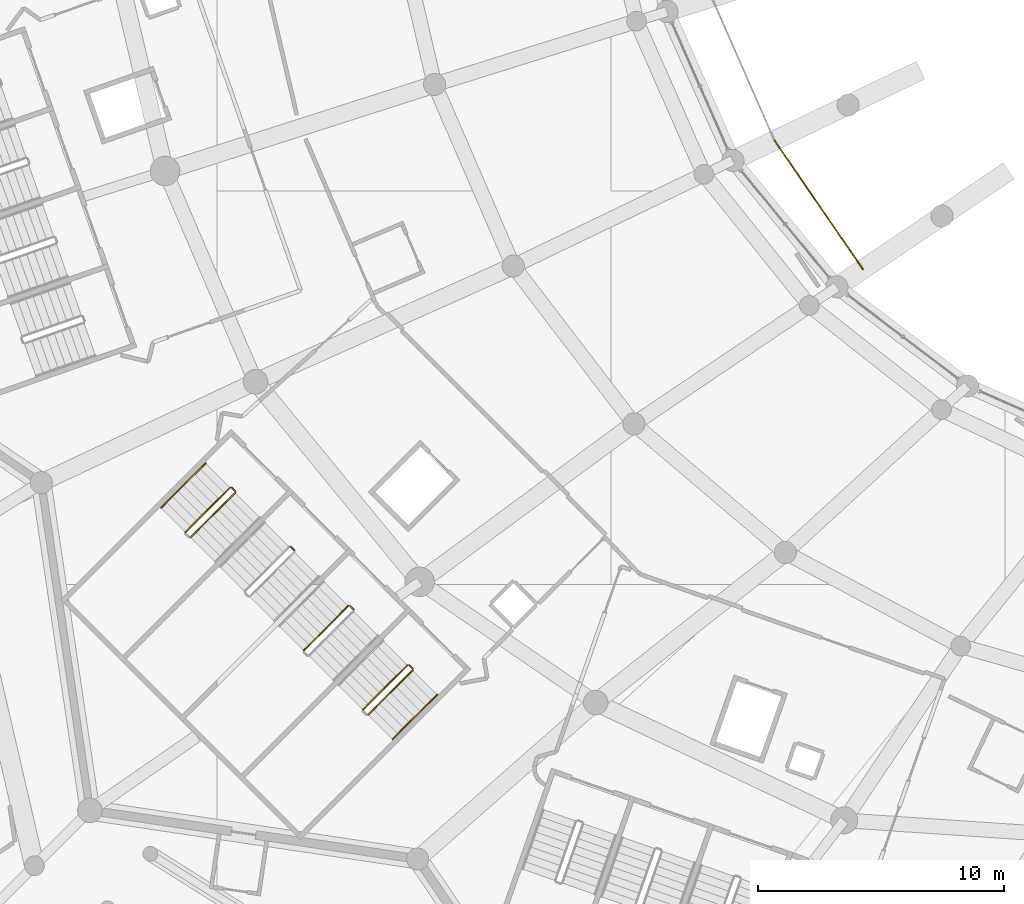
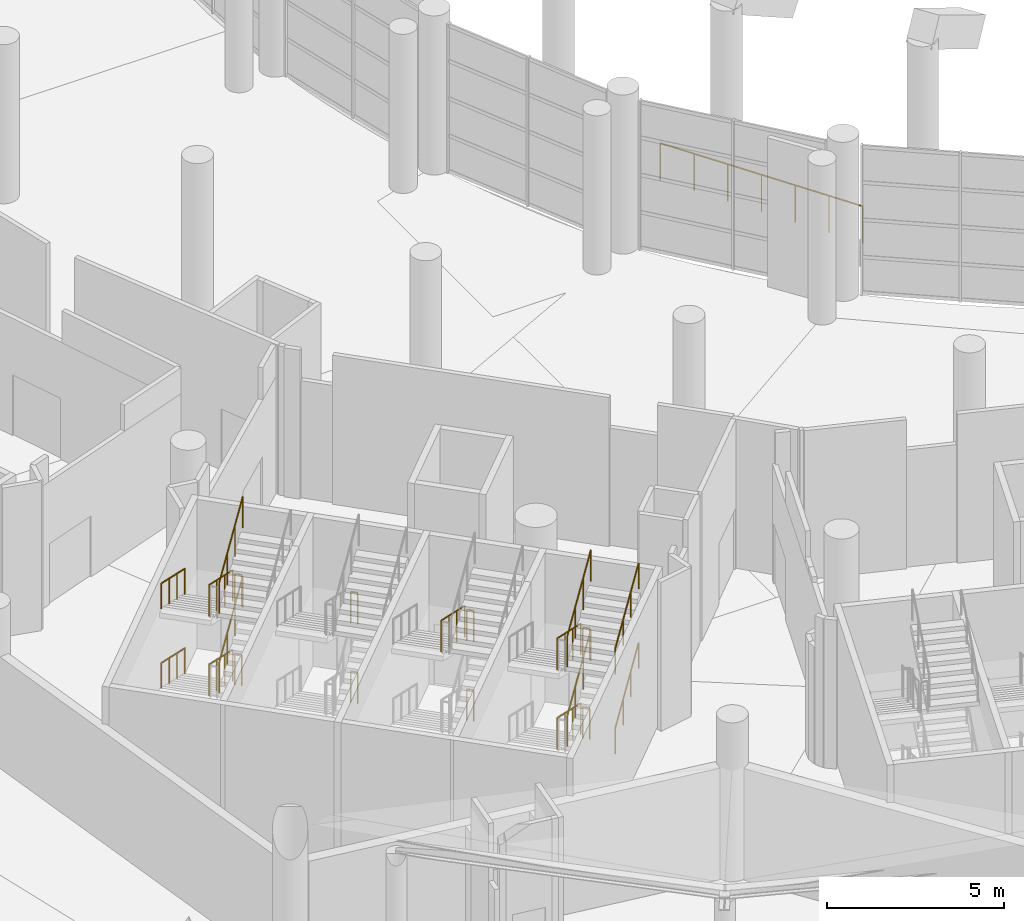
# One storey, part 226 of 271: 22 railings.
"""IFC4 building model written with IfcOpenShell, lengths in metres."""

from ifc_helpers import new_model, si_unit, direction, frame, origin, origin_2d, place, context, subcontext, project, spatial, circle, extrude, material, type_object, element, save


model = new_model("IFC4")

# Units and contexts
model_context = context("Model", 3, precision=1e-05, world=origin(), true_north=direction((0.0, 1.0)))
body_context = subcontext(model_context, "Body", "Model", "MODEL_VIEW")
ifc_project = project(units=[si_unit("LENGTHUNIT", "METRE"), si_unit("AREAUNIT", "SQUARE_METRE"), si_unit("VOLUMEUNIT", "CUBIC_METRE"), si_unit("PLANEANGLEUNIT", "RADIAN"), si_unit("MASSUNIT", "GRAM", prefix="KILO")], contexts=[model_context])

# Site, building, storey
site_placement = place(None, origin())
site = spatial("IfcSite", under=ifc_project, at=site_placement, CompositionType="ELEMENT")
building_placement = place(site_placement, origin())
building = spatial("IfcBuilding", under=site, at=building_placement, Name="Meseta Stadium", CompositionType="ELEMENT")
storey_placement = place(building_placement, frame((0.0, 0.0, 6.5)))
storey = spatial("IfcBuildingStorey", under=building, at=storey_placement, Name="L01", CompositionType="ELEMENT", Elevation=6.5)

# Railings
ifc_material_1 = material(Name="Steel S355", Category="steel")
railing_type_1 = type_object("IfcRailingType", Name="Stair guard 1100", PredefinedType="GUARDRAIL", material=ifc_material_1)
railing_1_placement = place(storey_placement, frame((-79.4814453125, -76.056884765625, 0.15283203125)))
element("IfcRailing", 1, at=railing_1_placement, inside=storey, type_object=railing_type_1, Name="ST81 L01 guard 1", PredefinedType="GUARDRAIL", context=body_context, shape_type="SweptSolid", body=[
    extrude(circle(Radius=0.02392578125, at=origin_2d()), frame((0.0, 0.0, 1.076171875), z_axis=(-0.638123721051, -0.638123721051, 0.43080881289), x_axis=(0.707106781187, -0.707106781187, 0.0)), (0.0, 0.0, 1.0), 2.8369140625),
    extrude(circle(Radius=0.02099609375, at=origin_2d()), origin(), (0.0, 0.0, 1.0), 1.052001953125),
    extrude(circle(Radius=0.02099609375, at=origin_2d()), frame((-0.603515625, -0.603515625, 0.407470703125)), (0.0, 0.0, 1.0), 1.052001953125),
    extrude(circle(Radius=0.02099609375, at=origin_2d()), frame((-1.206787109375, -1.206787109375, 0.814697265625)), (0.0, 0.0, 1.0), 1.052001953125),
    extrude(circle(Radius=0.02099609375, at=origin_2d()), frame((-1.810302734375, -1.810302734375, 1.22216796875)), (0.0, 0.0, 1.0), 1.052001953125),
])
railing_2_placement = place(storey_placement, frame((-81.07958984375, -78.0791015625, 1.52783203125)))
element("IfcRailing", 2, at=railing_2_placement, inside=storey, type_object=railing_type_1, Name="ST81 L01 guard 3", PredefinedType="GUARDRAIL", context=body_context, shape_type="SweptSolid", body=[
    extrude(circle(Radius=0.02392578125, at=origin_2d()), frame((0.0, 0.0, 1.076171875), z_axis=(0.638158764755, 0.638072701536, 0.430832471526), x_axis=(-0.707059095529, 0.707154463629, 0.0)), (0.0, 0.0, 1.0), 2.836669921875),
    extrude(circle(Radius=0.02099609375, at=origin_2d()), origin(), (0.0, 0.0, 1.0), 1.052001953125),
    extrude(circle(Radius=0.02099609375, at=origin_2d()), frame((0.603515625, 0.603271484375, 0.407470703125)), (0.0, 0.0, 1.0), 1.052001953125),
    extrude(circle(Radius=0.02099609375, at=origin_2d()), frame((1.206787109375, 1.206787109375, 0.814697265625)), (0.0, 0.0, 1.0), 1.052001953125),
    extrude(circle(Radius=0.02099609375, at=origin_2d()), frame((1.810302734375, 1.81005859375, 1.22216796875)), (0.0, 0.0, 1.0), 1.052001953125),
])
railing_3_placement = place(storey_placement, frame((-79.410888671875, -76.056884765625, 2.75)))
element("IfcRailing", 3, at=railing_3_placement, inside=storey, type_object=railing_type_1, Name="ST81 L01 guard 4", PredefinedType="GUARDRAIL", context=body_context, shape_type="SweptSolid", body=[
    extrude(circle(Radius=0.02392578125, at=origin_2d()), frame((0.0, 0.0, 1.076171875), z_axis=(0.707716618519, -0.706496417452, 0.0), x_axis=(0.706496417452, 0.707716618519, 0.0)), (0.0, 0.0, 1.0), 0.2001953125),
    extrude(circle(Radius=0.02099609375, at=origin_2d()), origin(), (0.0, 0.0, 1.0), 1.052001953125),
    extrude(circle(Radius=0.02099609375, at=origin_2d()), frame((0.1416015625, -0.141357421875, 0.0)), (0.0, 0.0, 1.0), 1.052001953125),
])
railing_4_placement = place(storey_placement, frame((-79.4814453125, -76.056884765625, 2.90283203125)))
element("IfcRailing", 4, at=railing_4_placement, inside=storey, type_object=railing_type_1, Name="ST81 L01 guard 5", PredefinedType="GUARDRAIL", context=body_context, shape_type="SweptSolid", body=[
    extrude(circle(Radius=0.02392578125, at=origin_2d()), frame((0.0, 0.0, 1.076171875), z_axis=(-0.638123721051, -0.638123721051, 0.43080881289), x_axis=(0.707106781187, -0.707106781187, 0.0)), (0.0, 0.0, 1.0), 2.8369140625),
    extrude(circle(Radius=0.02099609375, at=origin_2d()), origin(), (0.0, 0.0, 1.0), 1.052001953125),
    extrude(circle(Radius=0.02099609375, at=origin_2d()), frame((-0.603515625, -0.603515625, 0.407470703125)), (0.0, 0.0, 1.0), 1.052001953125),
    extrude(circle(Radius=0.02099609375, at=origin_2d()), frame((-1.206787109375, -1.206787109375, 0.814697265625)), (0.0, 0.0, 1.0), 1.052001953125),
    extrude(circle(Radius=0.02099609375, at=origin_2d()), frame((-1.810302734375, -1.810302734375, 1.22216796875)), (0.0, 0.0, 1.0), 1.052001953125),
])
railing_5_placement = place(storey_placement, frame((-81.07958984375, -78.0791015625, 4.27783203125)))
element("IfcRailing", 5, at=railing_5_placement, inside=storey, type_object=railing_type_1, Name="ST81 L01 guard 7", PredefinedType="GUARDRAIL", context=body_context, shape_type="SweptSolid", body=[
    extrude(circle(Radius=0.02392578125, at=origin_2d()), frame((0.0, 0.0, 1.076171875), z_axis=(0.638158764755, 0.638072701536, 0.430832471526), x_axis=(-0.707059095529, 0.707154463629, 0.0)), (0.0, 0.0, 1.0), 2.836669921875),
    extrude(circle(Radius=0.02099609375, at=origin_2d()), origin(), (0.0, 0.0, 1.0), 1.052001953125),
    extrude(circle(Radius=0.02099609375, at=origin_2d()), frame((0.603515625, 0.603271484375, 0.407470703125)), (0.0, 0.0, 1.0), 1.052001953125),
    extrude(circle(Radius=0.02099609375, at=origin_2d()), frame((1.206787109375, 1.206787109375, 0.814697265625)), (0.0, 0.0, 1.0), 1.052001953125),
    extrude(circle(Radius=0.02099609375, at=origin_2d()), frame((1.810302734375, 1.81005859375, 1.22216796875)), (0.0, 0.0, 1.0), 1.052001953125),
])
railing_6_placement = place(storey_placement, frame((-79.410888671875, -76.056884765625, 0.0)))
element("IfcRailing", 6, at=railing_6_placement, inside=storey, type_object=railing_type_1, Name="ST81 L01 guard 8", PredefinedType="GUARDRAIL", context=body_context, shape_type="SweptSolid", body=[
    extrude(circle(Radius=0.02392578125, at=origin_2d()), frame((0.0, 0.0, 1.076171875), z_axis=(0.707716618519, -0.706496417452, 0.0), x_axis=(0.706496417452, 0.707716618519, 0.0)), (0.0, 0.0, 1.0), 0.2001953125),
    extrude(circle(Radius=0.02099609375, at=origin_2d()), origin(), (0.0, 0.0, 1.0), 1.052001953125),
    extrude(circle(Radius=0.02099609375, at=origin_2d()), frame((0.1416015625, -0.141357421875, 0.0)), (0.0, 0.0, 1.0), 1.052001953125),
])
for number, where, name in (
    (7, (-77.006591796875, -78.4609375, 2.75), "ST82 L01 guard 4"),
    (8, (-77.006591796875, -78.4609375, 0.0), "ST82 L01 guard 8"),
):
    element("IfcRailing", number, at=place(storey_placement, frame(where)), inside=storey, type_object=railing_type_1, Name=name, PredefinedType="GUARDRAIL", context=body_context, shape_type="SweptSolid", body=[
        extrude(circle(Radius=0.02392578125, at=origin_2d()), frame((0.0, 0.0, 1.076171875), z_axis=(0.706496417452, -0.707716618519, 0.0), x_axis=(0.707716618519, 0.706496417452, 0.0)), (0.0, 0.0, 1.0), 0.2001953125),
        extrude(circle(Radius=0.02099609375, at=origin_2d()), origin(), (0.0, 0.0, 1.0), 1.052001953125),
        extrude(circle(Radius=0.02099609375, at=origin_2d()), frame((0.141357421875, -0.1416015625, 0.0)), (0.0, 0.0, 1.0), 1.052001953125),
    ])
railing_7_placement = place(storey_placement, frame((-74.6025390625, -80.865234375, 2.75)))
element("IfcRailing", 9, at=railing_7_placement, inside=storey, type_object=railing_type_1, Name="ST83 L01 guard 4", PredefinedType="GUARDRAIL", context=body_context, shape_type="SweptSolid", body=[
    extrude(circle(Radius=0.02392578125, at=origin_2d()), frame((0.0, 0.0, 1.076171875), z_axis=(0.707716618519, -0.706496417452, 0.0), x_axis=(0.706496417452, 0.707716618519, 0.0)), (0.0, 0.0, 1.0), 0.2001953125),
    extrude(circle(Radius=0.02099609375, at=origin_2d()), origin(), (0.0, 0.0, 1.0), 1.052001953125),
    extrude(circle(Radius=0.02099609375, at=origin_2d()), frame((0.1416015625, -0.141357421875, 0.0)), (0.0, 0.0, 1.0), 1.052001953125),
])
railing_8_placement = place(storey_placement, frame((-74.673095703125, -80.865234375, 2.90283203125)))
element("IfcRailing", 10, at=railing_8_placement, inside=storey, type_object=railing_type_1, Name="ST83 L01 guard 5", PredefinedType="GUARDRAIL", context=body_context, shape_type="SweptSolid", body=[
    extrude(circle(Radius=0.02392578125, at=origin_2d()), frame((0.0, 0.0, 1.076171875), z_axis=(-0.638158764755, -0.638072701536, 0.430832471526), x_axis=(0.707059095529, -0.707154463629, 0.0)), (0.0, 0.0, 1.0), 2.836669921875),
    extrude(circle(Radius=0.02099609375, at=origin_2d()), origin(), (0.0, 0.0, 1.0), 1.052001953125),
    extrude(circle(Radius=0.02099609375, at=origin_2d()), frame((-0.603515625, -0.603271484375, 0.407470703125)), (0.0, 0.0, 1.0), 1.052001953125),
    extrude(circle(Radius=0.02099609375, at=origin_2d()), frame((-1.206787109375, -1.206787109375, 0.814697265625)), (0.0, 0.0, 1.0), 1.052001953125),
    extrude(circle(Radius=0.02099609375, at=origin_2d()), frame((-1.810302734375, -1.81005859375, 1.22216796875)), (0.0, 0.0, 1.0), 1.052001953125),
])
railing_9_placement = place(storey_placement, frame((-74.6025390625, -80.865234375, 0.0)))
element("IfcRailing", 11, at=railing_9_placement, inside=storey, type_object=railing_type_1, Name="ST83 L01 guard 8", PredefinedType="GUARDRAIL", context=body_context, shape_type="SweptSolid", body=[
    extrude(circle(Radius=0.02392578125, at=origin_2d()), frame((0.0, 0.0, 1.076171875), z_axis=(0.707716618519, -0.706496417452, 0.0), x_axis=(0.706496417452, 0.707716618519, 0.0)), (0.0, 0.0, 1.0), 0.2001953125),
    extrude(circle(Radius=0.02099609375, at=origin_2d()), origin(), (0.0, 0.0, 1.0), 1.052001953125),
    extrude(circle(Radius=0.02099609375, at=origin_2d()), frame((0.1416015625, -0.141357421875, 0.0)), (0.0, 0.0, 1.0), 1.052001953125),
])
railing_10_placement = place(storey_placement, frame((-72.26904296875, -83.269287109375, 0.15283203125)))
element("IfcRailing", 12, at=railing_10_placement, inside=storey, type_object=railing_type_1, Name="ST84 L01 guard 1", PredefinedType="GUARDRAIL", context=body_context, shape_type="SweptSolid", body=[
    extrude(circle(Radius=0.02392578125, at=origin_2d()), frame((0.0, 0.0, 1.076171875), z_axis=(-0.638072701536, -0.638158764755, 0.430832471526), x_axis=(0.707154463629, -0.707059095529, 0.0)), (0.0, 0.0, 1.0), 2.836669921875),
    extrude(circle(Radius=0.02099609375, at=origin_2d()), origin(), (0.0, 0.0, 1.0), 1.052001953125),
    extrude(circle(Radius=0.02099609375, at=origin_2d()), frame((-0.603271484375, -0.603515625, 0.407470703125)), (0.0, 0.0, 1.0), 1.052001953125),
    extrude(circle(Radius=0.02099609375, at=origin_2d()), frame((-1.206787109375, -1.206787109375, 0.814697265625)), (0.0, 0.0, 1.0), 1.052001953125),
    extrude(circle(Radius=0.02099609375, at=origin_2d()), frame((-1.81005859375, -1.810302734375, 1.22216796875)), (0.0, 0.0, 1.0), 1.052001953125),
])
railing_11_placement = place(storey_placement, frame((-73.8671875, -85.291748046875, 1.52783203125)))
element("IfcRailing", 13, at=railing_11_placement, inside=storey, type_object=railing_type_1, Name="ST84 L01 guard 3", PredefinedType="GUARDRAIL", context=body_context, shape_type="SweptSolid", body=[
    extrude(circle(Radius=0.02392578125, at=origin_2d()), frame((0.0, 0.0, 1.076171875), z_axis=(0.638123721051, 0.638123721051, 0.43080881289), x_axis=(-0.707106781187, 0.707106781187, 0.0)), (0.0, 0.0, 1.0), 2.8369140625),
    extrude(circle(Radius=0.02099609375, at=origin_2d()), origin(), (0.0, 0.0, 1.0), 1.052001953125),
    extrude(circle(Radius=0.02099609375, at=origin_2d()), frame((0.603515625, 0.603515625, 0.407470703125)), (0.0, 0.0, 1.0), 1.052001953125),
    extrude(circle(Radius=0.02099609375, at=origin_2d()), frame((1.206787109375, 1.206787109375, 0.814697265625)), (0.0, 0.0, 1.0), 1.052001953125),
    extrude(circle(Radius=0.02099609375, at=origin_2d()), frame((1.810302734375, 1.810302734375, 1.22216796875)), (0.0, 0.0, 1.0), 1.052001953125),
])
railing_12_placement = place(storey_placement, frame((-72.1982421875, -83.269287109375, 2.75)))
element("IfcRailing", 14, at=railing_12_placement, inside=storey, type_object=railing_type_1, Name="ST84 L01 guard 4", PredefinedType="GUARDRAIL", context=body_context, shape_type="SweptSolid", body=[
    extrude(circle(Radius=0.02392578125, at=origin_2d()), frame((0.0, 0.0, 1.076171875), z_axis=(0.706496417452, -0.707716618519, 0.0), x_axis=(0.707716618519, 0.706496417452, 0.0)), (0.0, 0.0, 1.0), 0.2001953125),
    extrude(circle(Radius=0.02099609375, at=origin_2d()), origin(), (0.0, 0.0, 1.0), 1.052001953125),
    extrude(circle(Radius=0.02099609375, at=origin_2d()), frame((0.141357421875, -0.1416015625, 0.0)), (0.0, 0.0, 1.0), 1.052001953125),
])
railing_13_placement = place(storey_placement, frame((-72.26904296875, -83.269287109375, 2.90283203125)))
element("IfcRailing", 15, at=railing_13_placement, inside=storey, type_object=railing_type_1, Name="ST84 L01 guard 5", PredefinedType="GUARDRAIL", context=body_context, shape_type="SweptSolid", body=[
    extrude(circle(Radius=0.02392578125, at=origin_2d()), frame((0.0, 0.0, 1.076171875), z_axis=(-0.638072701536, -0.638158764755, 0.430832471526), x_axis=(0.707154463629, -0.707059095529, 0.0)), (0.0, 0.0, 1.0), 2.836669921875),
    extrude(circle(Radius=0.02099609375, at=origin_2d()), origin(), (0.0, 0.0, 1.0), 1.052001953125),
    extrude(circle(Radius=0.02099609375, at=origin_2d()), frame((-0.603271484375, -0.603515625, 0.407470703125)), (0.0, 0.0, 1.0), 1.052001953125),
    extrude(circle(Radius=0.02099609375, at=origin_2d()), frame((-1.206787109375, -1.206787109375, 0.814697265625)), (0.0, 0.0, 1.0), 1.052001953125),
    extrude(circle(Radius=0.02099609375, at=origin_2d()), frame((-1.81005859375, -1.810302734375, 1.22216796875)), (0.0, 0.0, 1.0), 1.052001953125),
])
railing_14_placement = place(storey_placement, frame((-73.8671875, -85.291748046875, 4.27783203125)))
element("IfcRailing", 16, at=railing_14_placement, inside=storey, type_object=railing_type_1, Name="ST84 L01 guard 7", PredefinedType="GUARDRAIL", context=body_context, shape_type="SweptSolid", body=[
    extrude(circle(Radius=0.02392578125, at=origin_2d()), frame((0.0, 0.0, 1.076171875), z_axis=(0.638123721051, 0.638123721051, 0.43080881289), x_axis=(-0.707106781187, 0.707106781187, 0.0)), (0.0, 0.0, 1.0), 2.8369140625),
    extrude(circle(Radius=0.02099609375, at=origin_2d()), origin(), (0.0, 0.0, 1.0), 1.052001953125),
    extrude(circle(Radius=0.02099609375, at=origin_2d()), frame((0.603515625, 0.603515625, 0.407470703125)), (0.0, 0.0, 1.0), 1.052001953125),
    extrude(circle(Radius=0.02099609375, at=origin_2d()), frame((1.206787109375, 1.206787109375, 0.814697265625)), (0.0, 0.0, 1.0), 1.052001953125),
    extrude(circle(Radius=0.02099609375, at=origin_2d()), frame((1.810302734375, 1.810302734375, 1.22216796875)), (0.0, 0.0, 1.0), 1.052001953125),
])
railing_15_placement = place(storey_placement, frame((-72.1982421875, -83.269287109375, 0.0)))
element("IfcRailing", 17, at=railing_15_placement, inside=storey, type_object=railing_type_1, Name="ST84 L01 guard 8", PredefinedType="GUARDRAIL", context=body_context, shape_type="SweptSolid", body=[
    extrude(circle(Radius=0.02392578125, at=origin_2d()), frame((0.0, 0.0, 1.076171875), z_axis=(0.706496417452, -0.707716618519, 0.0), x_axis=(0.707716618519, 0.706496417452, 0.0)), (0.0, 0.0, 1.0), 0.2001953125),
    extrude(circle(Radius=0.02099609375, at=origin_2d()), origin(), (0.0, 0.0, 1.0), 1.052001953125),
    extrude(circle(Radius=0.02099609375, at=origin_2d()), frame((0.141357421875, -0.1416015625, 0.0)), (0.0, 0.0, 1.0), 1.052001953125),
])
ifc_material_2 = material(Name="Steel S355", Category="steel")
railing_type_2 = type_object("IfcRailingType", Name="Stair handrail 900", PredefinedType="HANDRAIL", material=ifc_material_2)
for number, where, name in (
    (18, (-80.471435546875, -75.06689453125, 0.15283203125), "ST81 L01 handrail 1"),
    (19, (-80.471435546875, -75.06689453125, 2.90283203125), "ST81 L01 handrail 3"),
):
    element("IfcRailing", number, at=place(storey_placement, frame(where)), inside=storey, type_object=railing_type_2, Name=name, PredefinedType="HANDRAIL", context=body_context, shape_type="SweptSolid", body=[
        extrude(circle(Radius=0.02392578125, at=origin_2d()), frame((0.0, 0.0, 0.8759765625), z_axis=(-0.638123721051, -0.638123721051, 0.43080881289), x_axis=(0.707106781187, -0.707106781187, 0.0)), (0.0, 0.0, 1.0), 2.8369140625),
        extrude(circle(Radius=0.02099609375, at=origin_2d()), origin(), (0.0, 0.0, 1.0), 0.851806640625),
        extrude(circle(Radius=0.02099609375, at=origin_2d()), frame((-0.603515625, -0.603515625, 0.407470703125)), (0.0, 0.0, 1.0), 0.851806640625),
        extrude(circle(Radius=0.02099609375, at=origin_2d()), frame((-1.206787109375, -1.206787109375, 0.814697265625)), (0.0, 0.0, 1.0), 0.851806640625),
        extrude(circle(Radius=0.02099609375, at=origin_2d()), frame((-1.810302734375, -1.810302734375, 1.22216796875)), (0.0, 0.0, 1.0), 0.851806640625),
    ])
for number, where, name in (
    (20, (-72.877197265625, -86.28173828125, 1.52783203125), "ST84 L01 handrail 2"),
    (21, (-72.877197265625, -86.28173828125, 4.27783203125), "ST84 L01 handrail 4"),
):
    element("IfcRailing", number, at=place(storey_placement, frame(where)), inside=storey, type_object=railing_type_2, Name=name, PredefinedType="HANDRAIL", context=body_context, shape_type="SweptSolid", body=[
        extrude(circle(Radius=0.02392578125, at=origin_2d()), frame((0.0, 0.0, 0.8759765625), z_axis=(0.638123721051, 0.638123721051, 0.43080881289), x_axis=(-0.707106781187, 0.707106781187, 0.0)), (0.0, 0.0, 1.0), 2.8369140625),
        extrude(circle(Radius=0.02099609375, at=origin_2d()), origin(), (0.0, 0.0, 1.0), 0.851806640625),
        extrude(circle(Radius=0.02099609375, at=origin_2d()), frame((0.603515625, 0.603515625, 0.407470703125)), (0.0, 0.0, 1.0), 0.851806640625),
        extrude(circle(Radius=0.02099609375, at=origin_2d()), frame((1.206787109375, 1.206787109375, 0.814697265625)), (0.0, 0.0, 1.0), 0.851806640625),
        extrude(circle(Radius=0.02099609375, at=origin_2d()), frame((1.810302734375, 1.810302734375, 1.22216796875)), (0.0, 0.0, 1.0), 0.851806640625),
    ])
ifc_material_3 = material(Name="Steel S355", Category="steel")
railing_type_3 = type_object("IfcRailingType", Name="Stand rear guard 1300", PredefinedType="GUARDRAIL", material=ifc_material_3)
railing_16_placement = place(storey_placement, frame((-57.355712890625, -61.951904296875, 1.16015625)))
element("IfcRailing", 22, at=railing_16_placement, inside=storey, type_object=railing_type_3, Name="Stand lower tier rear guard bay 40", PredefinedType="GUARDRAIL", context=body_context, shape_type="SweptSolid", body=[
    extrude(circle(Radius=0.02490234375, at=origin_2d()), frame((0.0, 0.0, 1.27490234375), z_axis=(0.565232765198, -0.82389925795, -0.041254501517), x_axis=(0.824601265192, 0.565714374437, 0.0)), (0.0, 0.0, 1.0), 6.35595703125),
    extrude(circle(Radius=0.02001953125, at=origin_2d()), origin(), (0.0, 0.0, 1.0), 1.25),
    extrude(circle(Radius=0.02001953125, at=origin_2d()), frame((0.5986328125, -0.872802734375, -0.043701171875)), (0.0, 0.0, 1.0), 1.25),
    extrude(circle(Radius=0.02001953125, at=origin_2d()), frame((1.197509765625, -1.74560546875, -0.08740234375)), (0.0, 0.0, 1.0), 1.25),
    extrude(circle(Radius=0.02001953125, at=origin_2d()), frame((1.79638671875, -2.6181640625, -0.131103515625)), (0.0, 0.0, 1.0), 1.25),
    extrude(circle(Radius=0.02001953125, at=origin_2d()), frame((2.39501953125, -3.490966796875, -0.1748046875)), (0.0, 0.0, 1.0), 1.25),
    extrude(circle(Radius=0.02001953125, at=origin_2d()), frame((2.99365234375, -4.36376953125, -0.218505859375)), (0.0, 0.0, 1.0), 1.25),
    extrude(circle(Radius=0.02001953125, at=origin_2d()), frame((3.592529296875, -5.236572265625, -0.26220703125)), (0.0, 0.0, 1.0), 1.25),
])

save(model, "model.ifc")
